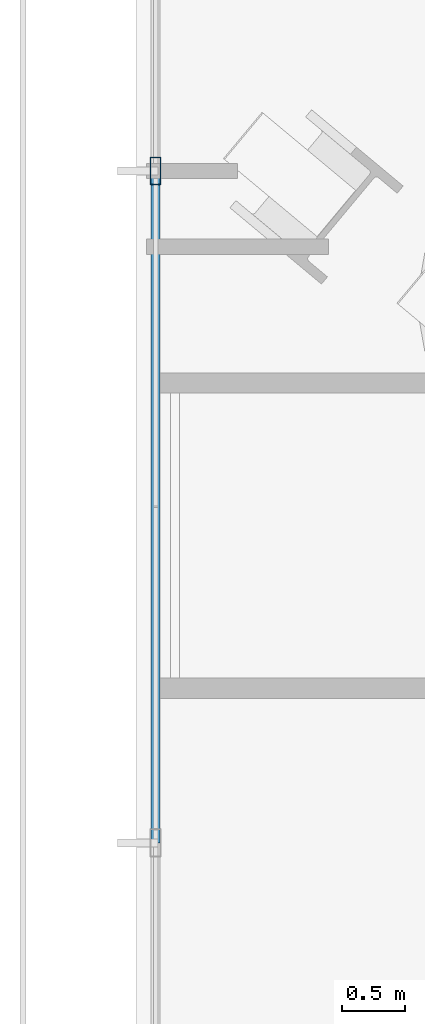
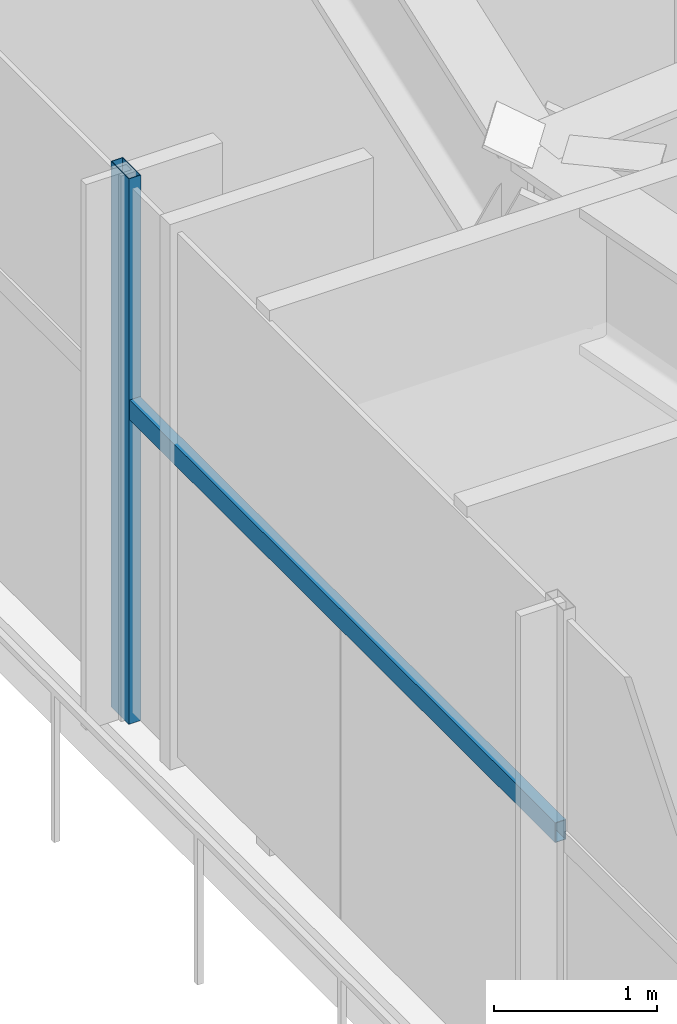
# One storey, part 4 of 29: 2 members, 1 element without a shape of its own.
"""IFC4 building model written with IfcOpenShell, lengths in metres."""

from ifc_helpers import new_model, si_unit, direction, frame, origin, origin_2d, place, context, subcontext, project, spatial, hollow_rectangle, extrude, source, transform, mapped, material, material_profile, profile_set, type_object, type_shapes, element, aggregate, save


model = new_model("IFC4")

# Units and contexts
model_context = context("Model", 3, precision=1e-05, world=origin(), true_north=direction((0.0, 1.0)))
body_context = subcontext(model_context, "Body", "Model", "MODEL_VIEW")
ifc_project = project(units=[si_unit("LENGTHUNIT", "METRE"), si_unit("AREAUNIT", "SQUARE_METRE"), si_unit("VOLUMEUNIT", "CUBIC_METRE"), si_unit("PLANEANGLEUNIT", "RADIAN"), si_unit("MASSUNIT", "GRAM", prefix="KILO")], contexts=[model_context])

# Site, building, storey
site_placement = place(None, origin())
site = spatial("IfcSite", under=ifc_project, at=site_placement, CompositionType="ELEMENT")
building_placement = place(site_placement, origin())
building = spatial("IfcBuilding", under=site, at=building_placement, Name="Astriad Promenade Condominiums", CompositionType="ELEMENT")
storey_placement = place(building_placement, frame((0.0, 0.0, 18.5)))
storey = spatial("IfcBuildingStorey", under=building, at=storey_placement, Name="L04", CompositionType="ELEMENT", Elevation=18.5)

# Curtain wall, members
ifc_material_1 = material(Name="Anodised aluminium Black Dark Glass Unitised", Category="aluminium")
curtain_wall_type = type_object("IfcCurtainWallType", Name="CW-POD-DARK", PredefinedType="USERDEFINED", material=ifc_material_1)
curtain_wall_placement = place(storey_placement, origin())
curtain_wall = element("IfcCurtainWall", 1, at=curtain_wall_placement, inside=storey, type_object=curtain_wall_type, Name="CW-L04-W", ObjectType="UNITISED_CURTAIN_WALL", PredefinedType="USERDEFINED")
ifc_material_2 = material(Name="Anodised aluminium 6063-T6 Black", Category="aluminium")
ifc_material_profile_1 = material_profile(ifc_material_2, hollow_rectangle(XDim=0.0849609375, YDim=0.219970703125, WallThickness=0.0048828125, at=origin_2d()), Name="ALU-MUL-85X220")
ifc_profile_set_1 = profile_set([ifc_material_profile_1], Name="Anodised aluminium 6063-T6 Black")
member_type_1 = type_object("IfcMemberType", Name="MUL-ALU-MUL-85X220", PredefinedType="MULLION", material=ifc_profile_set_1)
shared_shape_1 = source(origin(), body_context, "Body", "SweptSolid", [
    extrude(hollow_rectangle(XDim=0.0849609375, YDim=0.219970703125, WallThickness=0.0048828125, at=origin_2d()), origin(), (0.0, 0.0, 1.0), 4.080078125),
])
type_shapes(member_type_1, [shared_shape_1])
member_1_placement = place(storey_placement, frame((4.550048828125, 16.39990234375, 0.0), z_axis=(0.0, 0.0, 1.0), x_axis=(1.0, 0.0, 0.0)))
member_1 = element("IfcMember", 2, at=member_1_placement, type_object=member_type_1, Name="CW-L04-W-MUL-02", PredefinedType="MULLION", context=body_context, shape_type="MappedRepresentation", body=[
    mapped(shared_shape_1, transform((0.0, 0.0, 0.0), scale=1.0)),
])
ifc_material_profile_2 = material_profile(ifc_material_2, hollow_rectangle(XDim=0.074951171875, YDim=0.14990234375, WallThickness=0.004150390625, at=origin_2d()), Name="ALU-TRN-75X150")
ifc_profile_set_2 = profile_set([ifc_material_profile_2], Name="Anodised aluminium 6063-T6 Black")
member_type_2 = type_object("IfcMemberType", Name="TRN-ALU-TRN-75X150", PredefinedType="USERDEFINED", material=ifc_profile_set_2)
shared_shape_2 = source(origin(), body_context, "Body", "SweptSolid", [
    extrude(hollow_rectangle(XDim=0.074951171875, YDim=0.14990234375, WallThickness=0.004150390625, at=origin_2d()), origin(), (0.0, 0.0, 1.0), 5.324951171875),
])
type_shapes(member_type_2, [shared_shape_2])
member_2_placement = place(storey_placement, frame((4.550048828125, 11.074951171875, 2.35009765625), z_axis=(0.0, 1.0, 0.0), x_axis=(-1.0, 0.0, 0.0)))
member_2 = element("IfcMember", 3, at=member_2_placement, type_object=member_type_2, Name="CW-L04-W-TRN-01-0", ObjectType="TRANSOM", PredefinedType="USERDEFINED", context=body_context, shape_type="MappedRepresentation", body=[
    mapped(shared_shape_2, transform((0.0, 0.0, 0.0), scale=1.0)),
])
aggregate(curtain_wall, [member_1, member_2])

save(model, "model.ifc")
